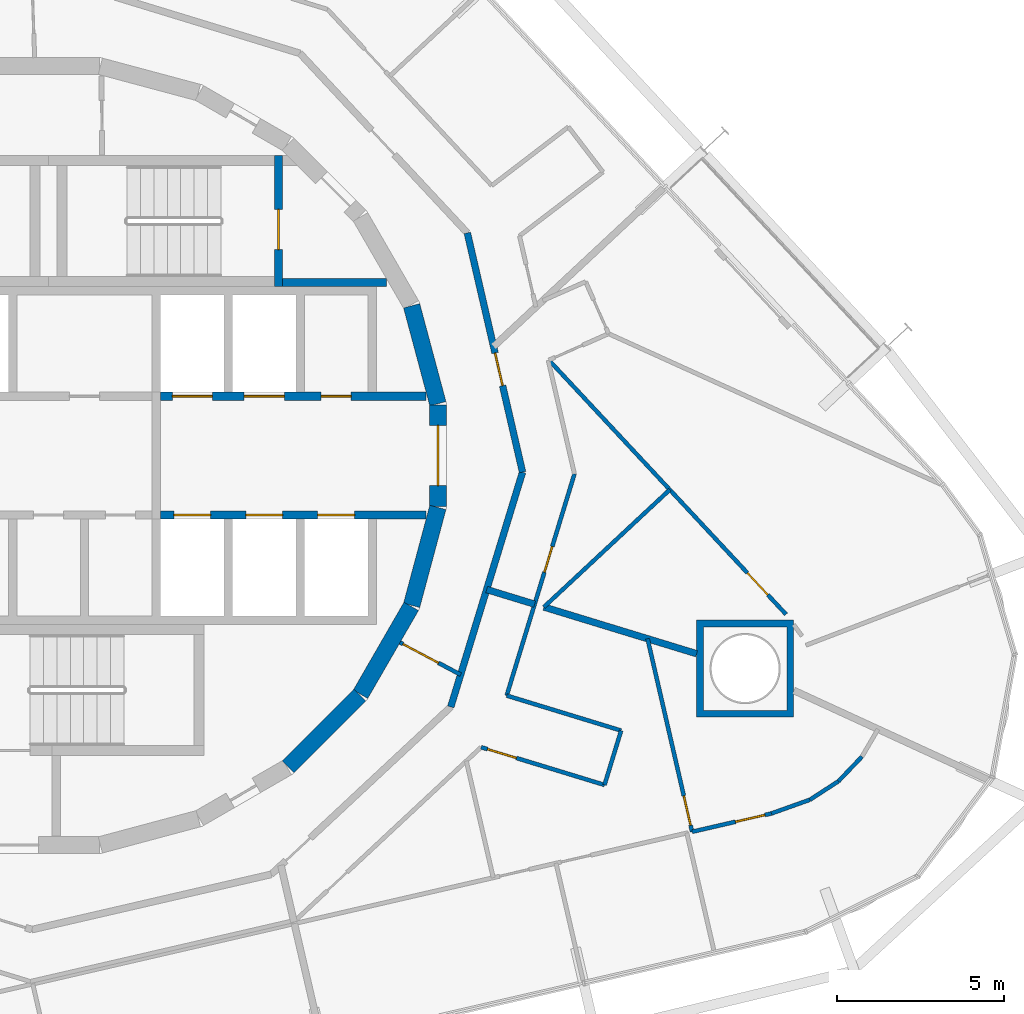
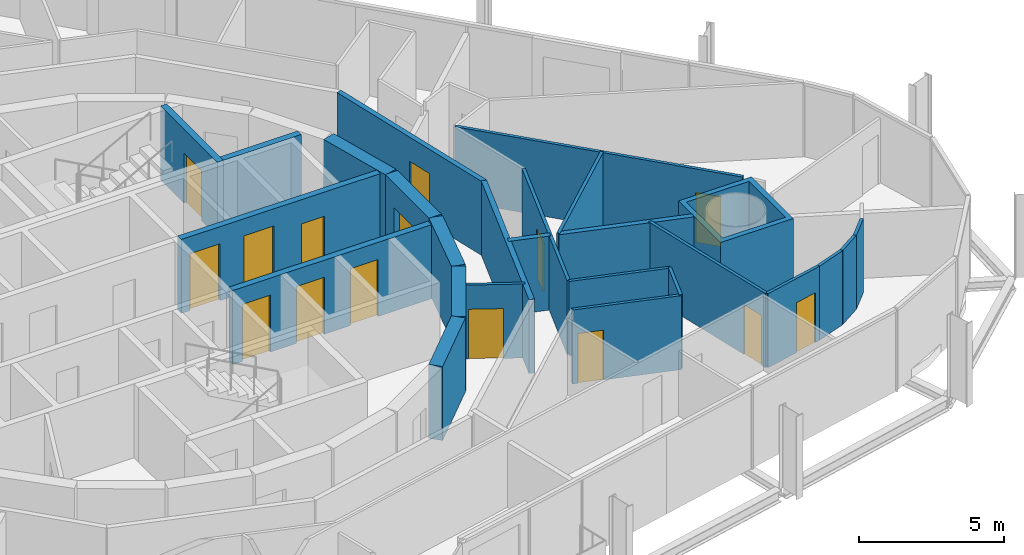
# One storey, part 14 of 18: 26 walls, 15 doors, 15 openings.
"""IFC4 building model written with IfcOpenShell, lengths in metres."""

from ifc_helpers import new_model, si_unit, direction, frame, frame_2d, origin, place, context, subcontext, project, spatial, polyline, rectangle, outline, extrude, material, layer, layer_set, type_object, element, fill, save


model = new_model("IFC4")

# Units and contexts
model_context = context("Model", 3, precision=1e-05, world=origin(), true_north=direction((0.0, 1.0)))
body_context = subcontext(model_context, "Body", "Model", "MODEL_VIEW")
ifc_project = project(units=[si_unit("LENGTHUNIT", "METRE"), si_unit("AREAUNIT", "SQUARE_METRE"), si_unit("VOLUMEUNIT", "CUBIC_METRE"), si_unit("PLANEANGLEUNIT", "RADIAN"), si_unit("MASSUNIT", "GRAM", prefix="KILO")], contexts=[model_context])

# Site, building, storey
site_placement = place(None, origin())
site = spatial("IfcSite", under=ifc_project, at=site_placement, CompositionType="ELEMENT")
building_placement = place(site_placement, origin())
building = spatial("IfcBuilding", under=site, at=building_placement, Name="Spindle Arch Residences", CompositionType="ELEMENT")
storey_placement = place(building_placement, frame((0.0, 0.0, 130.89990234375)))
storey = spatial("IfcBuildingStorey", under=building, at=storey_placement, Name="L32", CompositionType="ELEMENT", Elevation=130.89990234375)

# Walls
ifc_material_1 = material(Name="Concrete C50/60", Category="concrete")
ifc_layer_1 = layer(ifc_material_1, 0.5)
ifc_layer_set_1 = layer_set([ifc_layer_1], Name="Core outline wall 500")
wall_type_1 = type_object("IfcWallType", Name="Core outline wall 500", PredefinedType="SHEAR", material=ifc_layer_set_1)
wall_1_placement = place(storey_placement, frame((7.163818359375, -9.30810546875, 0.0), z_axis=(0.0, 0.0, 1.0), x_axis=(0.707106781187, 0.707106781187, 0.0)))
element("IfcWall", 1, at=wall_1_placement, inside=storey, type_object=wall_type_1, Name="Core outline wall 3", PredefinedType="SHEAR", context=body_context, shape_type="SweptSolid", body=[
    extrude(rectangle(XDim=3.032470703125, YDim=0.5, at=frame_2d((1.51611328125, 0.0))), origin(), (0.0, 0.0, 1.0), 3.1201171875),
])
for number, where, z_axis, x_axis, name in (
    (2, (9.32861328125, -7.13671875, 0.0), (0.0, 0.0, 1.0), (0.500087131594, 0.865975092491, 0.0), "Core outline wall 4"),
    (3, (10.858154296875, -4.479248046875, 0.0), (0.0, 0.0, 1.0), (0.258734743916, 0.965948410781, 0.0), "Core outline wall 5"),
):
    element("IfcWall", number, at=place(storey_placement, frame(where, z_axis=z_axis, x_axis=x_axis)), inside=storey, type_object=wall_type_1, Name=name, PredefinedType="SHEAR", context=body_context, shape_type="SweptSolid", body=[
        extrude(rectangle(XDim=3.03271484375, YDim=0.5, at=frame_2d((1.516357421875, 0.0))), origin(), (0.0, 0.0, 1.0), 3.1201171875),
    ])

# Wall, opening, door
wall_2_placement = place(storey_placement, frame((11.647216796875, -1.516357421875, 0.0), z_axis=(0.0, 0.0, 1.0), x_axis=(0.0, 1.0, 0.0)))
wall_2 = element("IfcWall", 4, at=wall_2_placement, inside=storey, type_object=wall_type_1, Name="Core outline wall 6", PredefinedType="SHEAR", context=body_context, shape_type="SweptSolid", body=[
    extrude(rectangle(XDim=3.03271484375, YDim=0.5, at=frame_2d((1.516357421875, 0.0))), origin(), (0.0, 0.0, 1.0), 3.1201171875),
])
opening_1_placement = place(wall_2_placement, frame((0.6162109375, 0.0, 0.0)))
opening_1 = element("IfcOpeningElement", 5, at=opening_1_placement, cuts=wall_2, Name="Opening R3B1-FE01", PredefinedType="OPENING", context=body_context, shape_type="SweptSolid", body=[
    extrude(rectangle(XDim=1.800048828125, YDim=2.10009765625, at=frame_2d((0.89990234375, 1.050048828125))), frame((0.0, 0.260009765625, 0.0), z_axis=(0.0, -1.0, 0.0), x_axis=(1.0, 0.0, 0.0)), (0.0, 0.0, 1.0), 0.52001953125),
])
ifc_material_2 = material(Name="Steel, fire-resisting door", Category="steel")
door_type_1 = type_object("IfcDoorType", Name="Fire-lift lobby door 1800x2100", OperationType="DOUBLE_DOOR_SINGLE_SWING", PredefinedType="DOOR", material=ifc_material_2)
door_1_placement = place(opening_1_placement, origin())
door_1 = element("IfcDoor", 6, at=door_1_placement, inside=storey, type_object=door_type_1, Name="Fire-lift lobby door R3B1-FE01", OperationType="DOUBLE_DOOR_SINGLE_SWING", OverallHeight=2.10009765625, OverallWidth=1.800048828125, PredefinedType="DOOR", context=body_context, shape_type="SweptSolid", body=[
    extrude(rectangle(XDim=1.800048828125, YDim=2.10009765625, at=frame_2d((0.89990234375, 1.050048828125))), frame((0.0, 0.02490234375, 0.0), z_axis=(0.0, -1.0, 0.0), x_axis=(1.0, 0.0, 0.0)), (0.0, 0.0, 1.0), 0.050048828125),
])
fill(opening_1, door_1)

# Wall
wall_3_placement = place(storey_placement, frame((11.642822265625, 1.5498046875, 0.0), z_axis=(0.0, 0.0, 1.0), x_axis=(-0.258734743916, 0.965948410781, 0.0)))
element("IfcWall", 7, at=wall_3_placement, inside=storey, type_object=wall_type_1, Name="Core outline wall 7", PredefinedType="SHEAR", context=body_context, shape_type="SweptSolid", body=[
    extrude(rectangle(XDim=3.03271484375, YDim=0.5, at=frame_2d((1.516357421875, 0.0))), origin(), (0.0, 0.0, 1.0), 3.1201171875),
])

# Wall, opening, door
ifc_material_3 = material(Name="Plasterboard on steel studs", Category="steel")
ifc_layer_2 = layer(ifc_material_3, 0.1201171875)
ifc_layer_set_2 = layer_set([ifc_layer_2], Name="Corridor division wall 120")
wall_type_2 = type_object("IfcWallType", Name="Corridor division wall 120", PredefinedType="PARTITIONING", material=ifc_layer_set_2)
wall_4_placement = place(storey_placement, frame((10.510986328125, -5.5888671875, 0.0), z_axis=(0.0, 0.0, 1.0), x_axis=(0.882987820808, -0.469395897196, 0.0)))
wall_4 = element("IfcWall", 8, at=wall_4_placement, inside=storey, type_object=wall_type_2, Name="Corridor division wall R3B1-W002", PredefinedType="PARTITIONING", context=body_context, shape_type="SweptSolid", body=[
    extrude(rectangle(XDim=2.0517578125, YDim=0.1201171875, at=frame_2d((1.02587890625, 0.0))), origin(), (0.0, 0.0, 1.0), 3.1201171875),
])
opening_2_placement = place(wall_4_placement, frame((0.10009765625, 0.0, 0.0)))
opening_2 = element("IfcOpeningElement", 9, at=opening_2_placement, cuts=wall_4, Name="Opening R3B1-CD02", PredefinedType="OPENING", context=body_context, shape_type="SweptSolid", body=[
    extrude(rectangle(XDim=1.199951171875, YDim=2.10009765625, at=frame_2d((0.60009765625, 1.050048828125))), frame((0.0, 0.070068359375, 0.0), z_axis=(0.0, -1.0, 0.0), x_axis=(1.0, 0.0, 0.0)), (0.0, 0.0, 1.0), 0.14013671875),
])
ifc_material_4 = material(Name="Steel, fire-resisting door", Category="steel")
door_type_2 = type_object("IfcDoorType", Name="Corridor division door 1200x2100", OperationType="NOTDEFINED", PredefinedType="DOOR", material=ifc_material_4)
door_2_placement = place(opening_2_placement, origin())
door_2 = element("IfcDoor", 10, at=door_2_placement, inside=storey, type_object=door_type_2, Name="Corridor division door R3B1-CD02", OperationType="DOUBLE_DOOR_SINGLE_SWING", OverallHeight=2.10009765625, OverallWidth=1.199951171875, PredefinedType="DOOR", context=body_context, shape_type="SweptSolid", body=[
    extrude(rectangle(XDim=1.199951171875, YDim=2.10009765625, at=frame_2d((0.60009765625, 1.050048828125))), frame((0.0, 0.02490234375, 0.0), z_axis=(0.0, -1.0, 0.0), x_axis=(1.0, 0.0, 0.0)), (0.0, 0.0, 1.0), 0.050048828125),
])
fill(opening_2, door_2)

ifc_material_5 = material(Name="Calcium silicate block, plastered")
ifc_layer_3 = layer(ifc_material_5, 0.199951171875)
ifc_layer_set_3 = layer_set([ifc_layer_3], Name="Corridor wall 200")
wall_type_3 = type_object("IfcWallType", Name="Corridor wall 200", PredefinedType="STANDARD", material=ifc_layer_set_3)
wall_5_placement = place(storey_placement, frame((14.174560546875, -0.4951171875, 0.0), z_axis=(0.0, 0.0, 1.0), x_axis=(-0.224922649383, 0.974376622151, 0.0)))
wall_5 = element("IfcWall", 11, at=wall_5_placement, inside=storey, type_object=wall_type_3, Name="Corridor wall R3B1-W004", PredefinedType="STANDARD", context=body_context, shape_type="SweptSolid", body=[
    extrude(rectangle(XDim=7.342041015625, YDim=0.199951171875, at=frame_2d((3.6708984375, 0.0))), origin(), (0.0, 0.0, 1.0), 3.1201171875),
])
opening_3_placement = place(wall_5_placement, frame((2.654541015625, 0.0, 0.0)))
opening_3 = element("IfcOpeningElement", 12, at=opening_3_placement, cuts=wall_5, Name="Opening R3B1-FD06", PredefinedType="OPENING", context=body_context, shape_type="SweptSolid", body=[
    extrude(rectangle(XDim=1.0, YDim=2.10009765625, at=frame_2d((0.5, 1.050048828125))), frame((0.0, 0.10986328125, 0.0), z_axis=(0.0, -1.0, 0.0), x_axis=(1.0, 0.0, 0.0)), (0.0, 0.0, 1.0), 0.219970703125),
])
ifc_material_6 = material(Name="Timber, fire-resisting door set", Category="wood")
door_type_3 = type_object("IfcDoorType", Name="Flat entrance door 1000x2100", OperationType="NOTDEFINED", PredefinedType="DOOR", material=ifc_material_6)
door_3_placement = place(opening_3_placement, origin())
door_3 = element("IfcDoor", 13, at=door_3_placement, inside=storey, type_object=door_type_3, Name="Flat entrance door R3B1-FD06", OperationType="SINGLE_SWING_LEFT", OverallHeight=2.10009765625, OverallWidth=1.0, PredefinedType="DOOR", context=body_context, shape_type="SweptSolid", body=[
    extrude(rectangle(XDim=1.0, YDim=2.10009765625, at=frame_2d((0.5, 1.050048828125))), frame((0.0, 0.02490234375, 0.0), z_axis=(0.0, -1.0, 0.0), x_axis=(1.0, 0.0, 0.0)), (0.0, 0.0, 1.0), 0.050048828125),
])
fill(opening_3, door_3)

# Wall
wall_6_placement = place(storey_placement, frame((12.028076171875, -7.51611328125, 0.0), z_axis=(0.0, 0.0, 1.0), x_axis=(0.292365533182, 0.956306642771, 0.0)))
element("IfcWall", 14, at=wall_6_placement, inside=storey, type_object=wall_type_3, Name="Corridor wall R3B1-W008", PredefinedType="STANDARD", context=body_context, shape_type="SweptSolid", body=[
    extrude(rectangle(XDim=7.341796875, YDim=0.199951171875, at=frame_2d((3.6708984375, 0.0))), origin(), (0.0, 0.0, 1.0), 3.1201171875),
])

# Wall, openings, doors
ifc_material_7 = material(Name="Concrete C40/50", Category="concrete")
ifc_layer_4 = layer(ifc_material_7, 0.25)
ifc_layer_set_4 = layer_set([ifc_layer_4], Name="Fire-lift lobby wall 250")
wall_type_4 = type_object("IfcWallType", Name="Fire-lift lobby wall 250", PredefinedType="SHEAR", material=ifc_layer_set_4)
wall_7_placement = place(storey_placement, frame((3.35009765625, 1.77490234375, 0.0), z_axis=(0.0, 0.0, 1.0), x_axis=(1.0, 0.0, 0.0)))
wall_7 = element("IfcWall", 15, at=wall_7_placement, inside=storey, type_object=wall_type_4, Name="Lift shaft front wall NE", PredefinedType="SHEAR", context=body_context, shape_type="SweptSolid", body=[
    extrude(rectangle(XDim=7.929931640625, YDim=0.25, at=frame_2d((3.96484375, 0.0))), origin(), (0.0, 0.0, 1.0), 3.1201171875),
])
opening_4_placement = place(wall_7_placement, frame((0.35009765625, 0.0, 0.0)))
opening_4 = element("IfcOpeningElement", 16, at=opening_4_placement, cuts=wall_7, Name="Opening R3B1-SLD01", PredefinedType="OPENING", context=body_context, shape_type="SweptSolid", body=[
    extrude(rectangle(XDim=1.199951171875, YDim=2.39990234375, at=frame_2d((0.60009765625, 1.199951171875))), frame((0.0, 0.135009765625, 0.0), z_axis=(0.0, -1.0, 0.0), x_axis=(1.0, 0.0, 0.0)), (0.0, 0.0, 1.0), 0.27001953125),
])
opening_5_placement = place(wall_7_placement, frame((2.5, 0.0, 0.0)))
opening_5 = element("IfcOpeningElement", 17, at=opening_5_placement, cuts=wall_7, Name="Opening R3B1-SLD02", PredefinedType="OPENING", context=body_context, shape_type="SweptSolid", body=[
    extrude(rectangle(XDim=1.199951171875, YDim=2.39990234375, at=frame_2d((0.60009765625, 1.199951171875))), frame((0.0, 0.135009765625, 0.0), z_axis=(0.0, -1.0, 0.0), x_axis=(1.0, 0.0, 0.0)), (0.0, 0.0, 1.0), 0.27001953125),
])
opening_6_placement = place(wall_7_placement, frame((4.800048828125, 0.0, 0.0)))
opening_6 = element("IfcOpeningElement", 18, at=opening_6_placement, cuts=wall_7, Name="Opening R3B1-WD02", PredefinedType="OPENING", context=body_context, shape_type="SweptSolid", body=[
    extrude(rectangle(XDim=0.89990234375, YDim=2.10009765625, at=frame_2d((0.449951171875, 1.050048828125))), frame((0.0, 0.135009765625, 0.0), z_axis=(0.0, -1.0, 0.0), x_axis=(1.0, 0.0, 0.0)), (0.0, 0.0, 1.0), 0.27001953125),
])
ifc_material_8 = material(Name="Steel, fire-resisting landing door", Category="steel")
door_type_4 = type_object("IfcDoorType", Name="Service lift landing door 1200x2400", OperationType="DOUBLE_DOOR_SLIDING", PredefinedType="DOOR", material=ifc_material_8)
door_4_placement = place(opening_4_placement, origin())
door_4 = element("IfcDoor", 19, at=door_4_placement, inside=storey, type_object=door_type_4, Name="Service lift landing door R3B1-SLD01", OperationType="DOUBLE_DOOR_SLIDING", OverallHeight=2.39990234375, OverallWidth=1.199951171875, PredefinedType="DOOR", context=body_context, shape_type="SweptSolid", body=[
    extrude(rectangle(XDim=1.199951171875, YDim=2.39990234375, at=frame_2d((0.60009765625, 1.199951171875))), frame((0.0, 0.02490234375, 0.0), z_axis=(0.0, -1.0, 0.0), x_axis=(1.0, 0.0, 0.0)), (0.0, 0.0, 1.0), 0.050048828125),
])
fill(opening_4, door_4)
door_5_placement = place(opening_5_placement, origin())
door_5 = element("IfcDoor", 20, at=door_5_placement, inside=storey, type_object=door_type_4, Name="Service lift landing door R3B1-SLD02", OperationType="DOUBLE_DOOR_SLIDING", OverallHeight=2.39990234375, OverallWidth=1.199951171875, PredefinedType="DOOR", context=body_context, shape_type="SweptSolid", body=[
    extrude(rectangle(XDim=1.199951171875, YDim=2.39990234375, at=frame_2d((0.60009765625, 1.199951171875))), frame((0.0, 0.02490234375, 0.0), z_axis=(0.0, -1.0, 0.0), x_axis=(1.0, 0.0, 0.0)), (0.0, 0.0, 1.0), 0.050048828125),
])
fill(opening_5, door_5)
ifc_material_9 = material(Name="Steel, fire-resisting door", Category="steel")
door_type_5 = type_object("IfcDoorType", Name="Service room door 900x2100", OperationType="SINGLE_SWING_LEFT", PredefinedType="DOOR", material=ifc_material_9)
door_6_placement = place(opening_6_placement, origin())
door_6 = element("IfcDoor", 21, at=door_6_placement, inside=storey, type_object=door_type_5, Name="Service room door R3B1-WD02", OperationType="SINGLE_SWING_LEFT", OverallHeight=2.10009765625, OverallWidth=0.89990234375, PredefinedType="DOOR", context=body_context, shape_type="SweptSolid", body=[
    extrude(rectangle(XDim=0.89990234375, YDim=2.10009765625, at=frame_2d((0.449951171875, 1.050048828125))), frame((0.0, 0.02490234375, 0.0), z_axis=(0.0, -1.0, 0.0), x_axis=(1.0, 0.0, 0.0)), (0.0, 0.0, 1.0), 0.050048828125),
])
fill(opening_6, door_6)

ifc_material_10 = material(Name="Concrete C50/60", Category="concrete")
ifc_layer_5 = layer(ifc_material_10, 0.25)
ifc_layer_set_5 = layer_set([ifc_layer_5], Name="Fire-lift shaft wall 250")
wall_type_5 = type_object("IfcWallType", Name="Fire-lift shaft wall 250", PredefinedType="SHEAR", material=ifc_layer_set_5)
wall_8_placement = place(storey_placement, frame((3.35009765625, -1.77490234375, 0.0), z_axis=(0.0, 0.0, 1.0), x_axis=(1.0, 0.0, 0.0)))
wall_8 = element("IfcWall", 22, at=wall_8_placement, inside=storey, type_object=wall_type_5, Name="Lift shaft front wall SE", PredefinedType="SHEAR", context=body_context, shape_type="SweptSolid", body=[
    extrude(rectangle(XDim=7.929931640625, YDim=0.25, at=frame_2d((3.96484375, 0.0))), origin(), (0.0, 0.0, 1.0), 3.1201171875),
])
opening_7_placement = place(wall_8_placement, frame((0.39990234375, 0.0, 0.0)))
opening_7 = element("IfcOpeningElement", 23, at=opening_7_placement, cuts=wall_8, Name="Opening R3B1-FLD01", PredefinedType="OPENING", context=body_context, shape_type="SweptSolid", body=[
    extrude(rectangle(XDim=1.10009765625, YDim=2.39990234375, at=frame_2d((0.550048828125, 1.199951171875))), frame((0.0, 0.135009765625, 0.0), z_axis=(0.0, -1.0, 0.0), x_axis=(1.0, 0.0, 0.0)), (0.0, 0.0, 1.0), 0.27001953125),
])
opening_8_placement = place(wall_8_placement, frame((2.550048828125, 0.0, 0.0)))
opening_8 = element("IfcOpeningElement", 24, at=opening_8_placement, cuts=wall_8, Name="Opening R3B1-FLD02", PredefinedType="OPENING", context=body_context, shape_type="SweptSolid", body=[
    extrude(rectangle(XDim=1.10009765625, YDim=2.39990234375, at=frame_2d((0.550048828125, 1.199951171875))), frame((0.0, 0.135009765625, 0.0), z_axis=(0.0, -1.0, 0.0), x_axis=(1.0, 0.0, 0.0)), (0.0, 0.0, 1.0), 0.27001953125),
])
opening_9_placement = place(wall_8_placement, frame((4.699951171875, 0.0, 0.0)))
opening_9 = element("IfcOpeningElement", 25, at=opening_9_placement, cuts=wall_8, Name="Opening R3B1-FLD03", PredefinedType="OPENING", context=body_context, shape_type="SweptSolid", body=[
    extrude(rectangle(XDim=1.10009765625, YDim=2.39990234375, at=frame_2d((0.550048828125, 1.199951171875))), frame((0.0, 0.135009765625, 0.0), z_axis=(0.0, -1.0, 0.0), x_axis=(1.0, 0.0, 0.0)), (0.0, 0.0, 1.0), 0.27001953125),
])
ifc_material_11 = material(Name="Steel, fire-resisting landing door", Category="steel")
door_type_6 = type_object("IfcDoorType", Name="Fire-fighting lift landing door 1100x2400", OperationType="DOUBLE_DOOR_SLIDING", PredefinedType="DOOR", material=ifc_material_11)
door_7_placement = place(opening_7_placement, origin())
door_7 = element("IfcDoor", 26, at=door_7_placement, inside=storey, type_object=door_type_6, Name="Fire-fighting lift landing door R3B1-FLD01", OperationType="DOUBLE_DOOR_SLIDING", OverallHeight=2.39990234375, OverallWidth=1.10009765625, PredefinedType="DOOR", context=body_context, shape_type="SweptSolid", body=[
    extrude(rectangle(XDim=1.10009765625, YDim=2.39990234375, at=frame_2d((0.550048828125, 1.199951171875))), frame((0.0, 0.02490234375, 0.0), z_axis=(0.0, -1.0, 0.0), x_axis=(1.0, 0.0, 0.0)), (0.0, 0.0, 1.0), 0.050048828125),
])
fill(opening_7, door_7)
door_8_placement = place(opening_8_placement, origin())
door_8 = element("IfcDoor", 27, at=door_8_placement, inside=storey, type_object=door_type_6, Name="Fire-fighting lift landing door R3B1-FLD02", OperationType="DOUBLE_DOOR_SLIDING", OverallHeight=2.39990234375, OverallWidth=1.10009765625, PredefinedType="DOOR", context=body_context, shape_type="SweptSolid", body=[
    extrude(rectangle(XDim=1.10009765625, YDim=2.39990234375, at=frame_2d((0.550048828125, 1.199951171875))), frame((0.0, 0.02490234375, 0.0), z_axis=(0.0, -1.0, 0.0), x_axis=(1.0, 0.0, 0.0)), (0.0, 0.0, 1.0), 0.050048828125),
])
fill(opening_8, door_8)
door_9_placement = place(opening_9_placement, origin())
door_9 = element("IfcDoor", 28, at=door_9_placement, inside=storey, type_object=door_type_6, Name="Fire-fighting lift landing door R3B1-FLD03", OperationType="DOUBLE_DOOR_SLIDING", OverallHeight=2.39990234375, OverallWidth=1.10009765625, PredefinedType="DOOR", context=body_context, shape_type="SweptSolid", body=[
    extrude(rectangle(XDim=1.10009765625, YDim=2.39990234375, at=frame_2d((0.550048828125, 1.199951171875))), frame((0.0, 0.02490234375, 0.0), z_axis=(0.0, -1.0, 0.0), x_axis=(1.0, 0.0, 0.0)), (0.0, 0.0, 1.0), 0.050048828125),
])
fill(opening_9, door_9)

# Wall, opening, door
ifc_material_12 = material(Name="Plasterboard on steel studs", Category="steel")
ifc_layer_6 = layer(ifc_material_12, 0.1201171875)
ifc_layer_set_6 = layer_set([ifc_layer_6], Name="Flat partition 120")
wall_type_6 = type_object("IfcWallType", Name="Flat partition 120", PredefinedType="PARTITIONING", material=ifc_layer_set_6)
wall_9_placement = place(storey_placement, frame((12.935302734375, -8.720947265625, 0.0), z_axis=(0.0, 0.0, 1.0), x_axis=(0.956306865441, -0.292364804843, 0.0)))
wall_9 = element("IfcWall", 29, at=wall_9_placement, inside=storey, type_object=wall_type_6, Name="Flat partition R3B1-W086", PredefinedType="PARTITIONING", context=body_context, shape_type="SweptSolid", body=[
    extrude(rectangle(XDim=3.85888671875, YDim=0.1201171875, at=frame_2d((1.929443359375, 0.0))), origin(), (0.0, 0.0, 1.0), 3.1201171875),
])
opening_10_placement = place(wall_9_placement, frame((0.199951171875, 0.0, 0.0)))
opening_10 = element("IfcOpeningElement", 30, at=opening_10_placement, cuts=wall_9, Name="Opening R3B1-ID24", PredefinedType="OPENING", context=body_context, shape_type="SweptSolid", body=[
    extrude(rectangle(XDim=0.89990234375, YDim=2.10009765625, at=frame_2d((0.449951171875, 1.050048828125))), frame((0.0, 0.070068359375, 0.0), z_axis=(0.0, -1.0, 0.0), x_axis=(1.0, 0.0, 0.0)), (0.0, 0.0, 1.0), 0.14013671875),
])
ifc_material_13 = material(Name="Timber door set", Category="wood")
door_type_7 = type_object("IfcDoorType", Name="Room door 900x2100", OperationType="NOTDEFINED", PredefinedType="DOOR", material=ifc_material_13)
door_10_placement = place(opening_10_placement, origin())
door_10 = element("IfcDoor", 31, at=door_10_placement, inside=storey, type_object=door_type_7, Name="Room door R3B1-ID24", OperationType="SINGLE_SWING_RIGHT", OverallHeight=2.10009765625, OverallWidth=0.89990234375, PredefinedType="DOOR", context=body_context, shape_type="SweptSolid", body=[
    extrude(rectangle(XDim=0.89990234375, YDim=2.10009765625, at=frame_2d((0.449951171875, 1.050048828125))), frame((0.0, 0.02490234375, 0.0), z_axis=(0.0, -1.0, 0.0), x_axis=(1.0, 0.0, 0.0)), (0.0, 0.0, 1.0), 0.050048828125),
])
fill(opening_10, door_10)

# Walls
wall_10_placement = place(storey_placement, frame((16.62548828125, -9.84912109375, 0.0), z_axis=(0.0, 0.0, 1.0), x_axis=(0.292390011609, 0.956299158795, 0.0)))
element("IfcWall", 32, at=wall_10_placement, inside=storey, type_object=wall_type_6, Name="Flat partition R3B1-W087", PredefinedType="PARTITIONING", context=body_context, shape_type="SweptSolid", body=[
    extrude(rectangle(XDim=1.699951171875, YDim=0.1201171875, at=frame_2d((0.85009765625, 0.0))), origin(), (0.0, 0.0, 1.0), 3.1201171875),
])
wall_11_placement = place(storey_placement, frame((17.12255859375, -8.223388671875, 0.0), z_axis=(0.0, 0.0, 1.0), x_axis=(-0.956299657224, 0.292388381428, 0.0)))
element("IfcWall", 33, at=wall_11_placement, inside=storey, type_object=wall_type_6, Name="Flat partition R3B1-W088", PredefinedType="PARTITIONING", context=body_context, shape_type="SweptSolid", body=[
    extrude(rectangle(XDim=3.578857421875, YDim=0.1201171875, at=frame_2d((1.78955078125, 0.0))), origin(), (0.0, 0.0, 1.0), 3.1201171875),
])

# Wall, opening, door
wall_12_placement = place(storey_placement, frame((13.7001953125, -7.177001953125, 0.0), z_axis=(0.0, 0.0, 1.0), x_axis=(0.292382309758, 0.956301513614, 0.0)))
wall_12 = element("IfcWall", 34, at=wall_12_placement, inside=storey, type_object=wall_type_6, Name="Flat partition R3B1-W089", PredefinedType="PARTITIONING", context=body_context, shape_type="SweptSolid", body=[
    extrude(rectangle(XDim=6.930419921875, YDim=0.1201171875, at=frame_2d((3.46533203125, 0.0))), origin(), (0.0, 0.0, 1.0), 3.1201171875),
])
opening_11_placement = place(wall_12_placement, frame((3.85791015625, 0.0, 0.0)))
opening_11 = element("IfcOpeningElement", 35, at=opening_11_placement, cuts=wall_12, Name="Opening R3B1-BD07", PredefinedType="OPENING", context=body_context, shape_type="SweptSolid", body=[
    extrude(rectangle(XDim=0.800048828125, YDim=2.10009765625, at=frame_2d((0.39990234375, 1.050048828125))), frame((0.0, 0.070068359375, 0.0), z_axis=(0.0, -1.0, 0.0), x_axis=(1.0, 0.0, 0.0)), (0.0, 0.0, 1.0), 0.14013671875),
])
ifc_material_14 = material(Name="Timber door set", Category="wood")
door_type_8 = type_object("IfcDoorType", Name="Bathroom door 800x2100", OperationType="NOTDEFINED", PredefinedType="DOOR", material=ifc_material_14)
door_11_placement = place(opening_11_placement, origin())
door_11 = element("IfcDoor", 36, at=door_11_placement, inside=storey, type_object=door_type_8, Name="Bathroom door R3B1-BD07", OperationType="SINGLE_SWING_LEFT", OverallHeight=2.10009765625, OverallWidth=0.800048828125, PredefinedType="DOOR", context=body_context, shape_type="SweptSolid", body=[
    extrude(rectangle(XDim=0.800048828125, YDim=2.10009765625, at=frame_2d((0.39990234375, 1.050048828125))), frame((0.0, 0.02490234375, 0.0), z_axis=(0.0, -1.0, 0.0), x_axis=(1.0, 0.0, 0.0)), (0.0, 0.0, 1.0), 0.050048828125),
])
fill(opening_11, door_11)

wall_13_placement = place(storey_placement, frame((19.2451171875, -11.25, 0.0), z_axis=(0.0, 0.0, 1.0), x_axis=(-0.224958805164, 0.974368275335, 0.0)))
wall_13 = element("IfcWall", 37, at=wall_13_placement, inside=storey, type_object=wall_type_6, Name="Flat partition R3B1-W093", PredefinedType="PARTITIONING", context=body_context, shape_type="SweptSolid", body=[
    extrude(rectangle(XDim=5.925537109375, YDim=0.1201171875, at=frame_2d((2.962890625, 0.0))), origin(), (0.0, 0.0, 1.0), 3.1201171875),
])
opening_12_placement = place(wall_13_placement, frame((0.199951171875, 0.0, 0.0)))
opening_12 = element("IfcOpeningElement", 38, at=opening_12_placement, cuts=wall_13, Name="Opening R3B1-ID27", PredefinedType="OPENING", context=body_context, shape_type="SweptSolid", body=[
    extrude(rectangle(XDim=0.89990234375, YDim=2.10009765625, at=frame_2d((0.449951171875, 1.050048828125))), frame((0.0, 0.070068359375, 0.0), z_axis=(0.0, -1.0, 0.0), x_axis=(1.0, 0.0, 0.0)), (0.0, 0.0, 1.0), 0.14013671875),
])
door_12_placement = place(opening_12_placement, origin())
door_12 = element("IfcDoor", 39, at=door_12_placement, inside=storey, type_object=door_type_7, Name="Room door R3B1-ID27", OperationType="SINGLE_SWING_RIGHT", OverallHeight=2.10009765625, OverallWidth=0.89990234375, PredefinedType="DOOR", context=body_context, shape_type="SweptSolid", body=[
    extrude(rectangle(XDim=0.89990234375, YDim=2.10009765625, at=frame_2d((0.449951171875, 1.050048828125))), frame((0.0, 0.02490234375, 0.0), z_axis=(0.0, -1.0, 0.0), x_axis=(1.0, 0.0, 0.0)), (0.0, 0.0, 1.0), 0.050048828125),
])
fill(opening_12, door_12)

# Walls
for number, where, z_axis, x_axis, name in (
    (40, (24.324462890625, -9.001708984375, 0.0), (0.0, 0.0, 1.0), (-0.690452883014, -0.723377367864, 0.0), "Flat partition R3B1-W095"),
    (41, (23.623046875, -9.736572265625, 0.0), (0.0, 0.0, 1.0), (-0.838718041084, -0.544565925816, 0.0), "Flat partition R3B1-W096"),
):
    element("IfcWall", number, at=place(storey_placement, frame(where, z_axis=z_axis, x_axis=x_axis)), inside=storey, type_object=wall_type_6, Name=name, PredefinedType="PARTITIONING", context=body_context, shape_type="SweptSolid", body=[
        extrude(rectangle(XDim=1.015869140625, YDim=0.1201171875, at=frame_2d((0.5078125, 0.0))), origin(), (0.0, 0.0, 1.0), 3.1201171875),
    ])
wall_14_placement = place(storey_placement, frame((22.77099609375, -10.289794921875, 0.0), z_axis=(0.0, 0.0, 1.0), x_axis=(-0.941701391526, -0.336449831623, 0.0)))
element("IfcWall", 42, at=wall_14_placement, inside=storey, type_object=wall_type_6, Name="Flat partition R3B1-W097", PredefinedType="PARTITIONING", context=body_context, shape_type="SweptSolid", body=[
    extrude(rectangle(XDim=1.22705078125, YDim=0.1201171875, at=frame_2d((0.613525390625, 0.0))), origin(), (0.0, 0.0, 1.0), 3.1201171875),
])

# Wall, opening, door
wall_15_placement = place(storey_placement, frame((21.615478515625, -10.70263671875, 0.0), z_axis=(0.0, 0.0, 1.0), x_axis=(-0.974359049184, -0.224998762825, 0.0)))
wall_15 = element("IfcWall", 43, at=wall_15_placement, inside=storey, type_object=wall_type_6, Name="Flat partition R3B1-W098", PredefinedType="PARTITIONING", context=body_context, shape_type="SweptSolid", body=[
    extrude(rectangle(XDim=2.4326171875, YDim=0.1201171875, at=frame_2d((1.21630859375, 0.0))), origin(), (0.0, 0.0, 1.0), 3.1201171875),
])
opening_13_placement = place(wall_15_placement, frame((0.199951171875, 0.0, 0.0)))
opening_13 = element("IfcOpeningElement", 44, at=opening_13_placement, cuts=wall_15, Name="Opening R3B1-ID28", PredefinedType="OPENING", context=body_context, shape_type="SweptSolid", body=[
    extrude(rectangle(XDim=0.89990234375, YDim=2.10009765625, at=frame_2d((0.449951171875, 1.050048828125))), frame((0.0, 0.070068359375, 0.0), z_axis=(0.0, -1.0, 0.0), x_axis=(1.0, 0.0, 0.0)), (0.0, 0.0, 1.0), 0.14013671875),
])
door_13_placement = place(opening_13_placement, origin())
door_13 = element("IfcDoor", 45, at=door_13_placement, inside=storey, type_object=door_type_7, Name="Room door R3B1-ID28", OperationType="SINGLE_SWING_RIGHT", OverallHeight=2.10009765625, OverallWidth=0.89990234375, PredefinedType="DOOR", context=body_context, shape_type="SweptSolid", body=[
    extrude(rectangle(XDim=0.89990234375, YDim=2.10009765625, at=frame_2d((0.449951171875, 1.050048828125))), frame((0.0, 0.02490234375, 0.0), z_axis=(0.0, -1.0, 0.0), x_axis=(1.0, 0.0, 0.0)), (0.0, 0.0, 1.0), 0.050048828125),
])
fill(opening_13, door_13)

# Wall
wall_16_placement = place(storey_placement, frame((18.5771484375, -1.019775390625, 0.0), z_axis=(0.0, 0.0, 1.0), x_axis=(-0.731348673524, -0.682003751994, 0.0)))
element("IfcWall", 46, at=wall_16_placement, inside=storey, type_object=wall_type_6, Name="Flat partition R3B1-W106", PredefinedType="PARTITIONING", context=body_context, shape_type="SweptSolid", body=[
    extrude(rectangle(XDim=5.1455078125, YDim=0.1201171875, at=frame_2d((2.57275390625, 0.0))), origin(), (0.0, 0.0, 1.0), 3.1201171875),
])

# Wall, opening, door
wall_17_placement = place(storey_placement, frame((22.054443359375, -4.748779296875, 0.0), z_axis=(0.0, 0.0, 1.0), x_axis=(-0.682014558945, 0.731338595582, 0.0)))
wall_17 = element("IfcWall", 47, at=wall_17_placement, inside=storey, type_object=wall_type_6, Name="Flat partition R3B1-W107", PredefinedType="PARTITIONING", context=body_context, shape_type="SweptSolid", body=[
    extrude(rectangle(XDim=10.3994140625, YDim=0.1201171875, at=frame_2d((5.19970703125, 0.0))), origin(), (0.0, 0.0, 1.0), 3.1201171875),
])
opening_14_placement = place(wall_17_placement, frame((0.800048828125, 0.0, 0.0)))
opening_14 = element("IfcOpeningElement", 48, at=opening_14_placement, cuts=wall_17, Name="Opening R3B1-ID32", PredefinedType="OPENING", context=body_context, shape_type="SweptSolid", body=[
    extrude(rectangle(XDim=0.89990234375, YDim=2.10009765625, at=frame_2d((0.449951171875, 1.050048828125))), frame((0.0, 0.070068359375, 0.0), z_axis=(0.0, -1.0, 0.0), x_axis=(1.0, 0.0, 0.0)), (0.0, 0.0, 1.0), 0.14013671875),
])
door_14_placement = place(opening_14_placement, origin())
door_14 = element("IfcDoor", 49, at=door_14_placement, inside=storey, type_object=door_type_7, Name="Room door R3B1-ID32", OperationType="SINGLE_SWING_RIGHT", OverallHeight=2.10009765625, OverallWidth=0.89990234375, PredefinedType="DOOR", context=body_context, shape_type="SweptSolid", body=[
    extrude(rectangle(XDim=0.89990234375, YDim=2.10009765625, at=frame_2d((0.449951171875, 1.050048828125))), frame((0.0, 0.02490234375, 0.0), z_axis=(0.0, -1.0, 0.0), x_axis=(1.0, 0.0, 0.0)), (0.0, 0.0, 1.0), 0.050048828125),
])
fill(opening_14, door_14)

# Walls
ifc_material_15 = material(Name="Calcium silicate block, plastered")
ifc_layer_7 = layer(ifc_material_15, 0.199951171875)
ifc_layer_set_7 = layer_set([ifc_layer_7], Name="Flat party wall 200")
wall_type_7 = type_object("IfcWallType", Name="Flat party wall 200", PredefinedType="STANDARD", material=ifc_layer_set_7)
wall_18_placement = place(storey_placement, frame((14.535888671875, -4.444091796875, 0.0), z_axis=(0.0, 0.0, 1.0), x_axis=(-0.956326299111, 0.292301230974, 0.0)))
element("IfcWall", 50, at=wall_18_placement, inside=storey, type_object=wall_type_7, Name="Flat party wall R3B1-W024", PredefinedType="STANDARD", context=body_context, shape_type="SweptSolid", body=[
    extrude(rectangle(XDim=1.5, YDim=0.199951171875, at=frame_2d((0.75, 0.0))), origin(), (0.0, 0.0, 1.0), 3.1201171875),
])
wall_19_placement = place(storey_placement, frame((19.3798828125, -5.925048828125, 0.0), z_axis=(0.0, 0.0, 1.0), x_axis=(-0.956301542054, 0.29238221674, 0.0)))
element("IfcWall", 51, at=wall_19_placement, inside=storey, type_object=wall_type_7, Name="Flat party wall R3B1-W025", PredefinedType="STANDARD", context=body_context, shape_type="SweptSolid", body=[
    extrude(rectangle(XDim=4.774658203125, YDim=0.199951171875, at=frame_2d((2.38720703125, 0.0))), origin(), (0.0, 0.0, 1.0), 3.1201171875),
])
ifc_material_16 = material(Name="Calcium silicate block, plastered")
ifc_layer_8 = layer(ifc_material_16, 0.199951171875)
ifc_layer_set_8 = layer_set([ifc_layer_8], Name="Mega-column casing wall 200")
wall_type_8 = type_object("IfcWallType", Name="Mega-column casing wall 200", PredefinedType="STANDARD", material=ifc_layer_set_8)
wall_20_placement = place(storey_placement, origin())
element("IfcWall", 52, at=wall_20_placement, inside=storey, type_object=wall_type_8, Name="Mega-column casing wall R3B1-WC03", PredefinedType="STANDARD", context=body_context, shape_type="SweptSolid", body=[
    extrude(outline(polyline([(22.280029296875, -4.91845703125), (22.280029296875, -7.818359375), (19.3798828125, -7.818359375), (19.3798828125, -4.91845703125), (22.280029296875, -4.91845703125)]), holes=[polyline([(19.580078125, -7.618408203125), (22.080078125, -7.618408203125), (22.080078125, -5.118408203125), (19.580078125, -5.118408203125), (19.580078125, -7.618408203125)])]), origin(), (0.0, 0.0, 1.0), 3.1201171875),
])
ifc_material_17 = material(Name="Concrete C40/50", Category="concrete")
ifc_layer_9 = layer(ifc_material_17, 0.25)
ifc_layer_set_9 = layer_set([ifc_layer_9], Name="Stair airlock wall 250")
wall_type_9 = type_object("IfcWallType", Name="Stair airlock wall 250", PredefinedType="SHEAR", material=ifc_layer_set_9)
wall_21_placement = place(storey_placement, frame((7.0, 5.175048828125, 0.0), z_axis=(0.0, 0.0, 1.0), x_axis=(1.0, 0.0, 0.0)))
element("IfcWall", 53, at=wall_21_placement, inside=storey, type_object=wall_type_9, Name="Stair ST-1 airlock wall S", PredefinedType="SHEAR", context=body_context, shape_type="SweptSolid", body=[
    extrude(rectangle(XDim=3.10009765625, YDim=0.25, at=frame_2d((1.550048828125, 0.0))), origin(), (0.0, 0.0, 1.0), 3.1201171875),
])

# Wall, opening, door
ifc_material_18 = material(Name="Concrete C50/60", Category="concrete")
ifc_layer_10 = layer(ifc_material_18, 0.25)
ifc_layer_set_10 = layer_set([ifc_layer_10], Name="Stair enclosure wall 250")
wall_type_10 = type_object("IfcWallType", Name="Stair enclosure wall 250", PredefinedType="SHEAR", material=ifc_layer_set_10)
wall_22_placement = place(storey_placement, frame((6.875, 5.050048828125, 0.0), z_axis=(0.0, 0.0, 1.0), x_axis=(0.0, 1.0, 0.0)))
wall_22 = element("IfcWall", 54, at=wall_22_placement, inside=storey, type_object=wall_type_10, Name="Stair ST-1 door wall", PredefinedType="SHEAR", context=body_context, shape_type="SweptSolid", body=[
    extrude(rectangle(XDim=3.919921875, YDim=0.25, at=frame_2d((1.9599609375, 0.0))), origin(), (0.0, 0.0, 1.0), 3.1201171875),
])
opening_15_placement = place(wall_22_placement, frame((1.110107421875, 0.0, 0.0)))
opening_15 = element("IfcOpeningElement", 55, at=opening_15_placement, cuts=wall_22, Name="Opening R3B1-SD01", PredefinedType="OPENING", context=body_context, shape_type="SweptSolid", body=[
    extrude(rectangle(XDim=1.199951171875, YDim=2.10009765625, at=frame_2d((0.60009765625, 1.050048828125))), frame((0.0, 0.135009765625, 0.0), z_axis=(0.0, -1.0, 0.0), x_axis=(1.0, 0.0, 0.0)), (0.0, 0.0, 1.0), 0.27001953125),
])
ifc_material_19 = material(Name="Steel, fire-resisting door", Category="steel")
door_type_9 = type_object("IfcDoorType", Name="Stair door 1200x2100", OperationType="SINGLE_SWING_RIGHT", PredefinedType="DOOR", material=ifc_material_19)
door_15_placement = place(opening_15_placement, origin())
door_15 = element("IfcDoor", 56, at=door_15_placement, inside=storey, type_object=door_type_9, Name="Stair door R3B1-SD01", OperationType="SINGLE_SWING_LEFT", OverallHeight=2.10009765625, OverallWidth=1.199951171875, PredefinedType="DOOR", context=body_context, shape_type="SweptSolid", body=[
    extrude(rectangle(XDim=1.199951171875, YDim=2.10009765625, at=frame_2d((0.60009765625, 1.050048828125))), frame((0.0, 0.02490234375, 0.0), z_axis=(0.0, -1.0, 0.0), x_axis=(1.0, 0.0, 0.0)), (0.0, 0.0, 1.0), 0.050048828125),
])
fill(opening_15, door_15)

save(model, "model.ifc")
